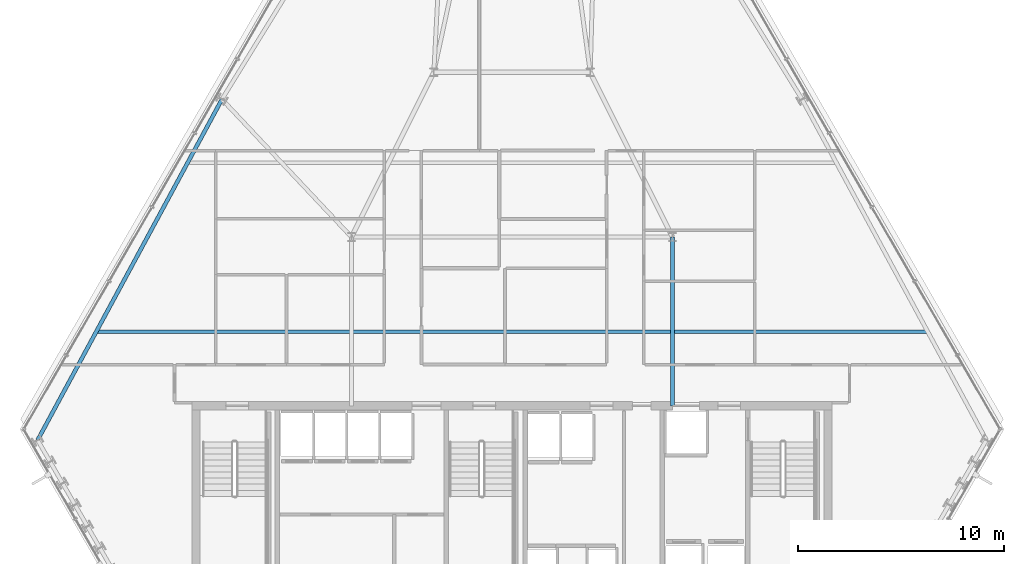
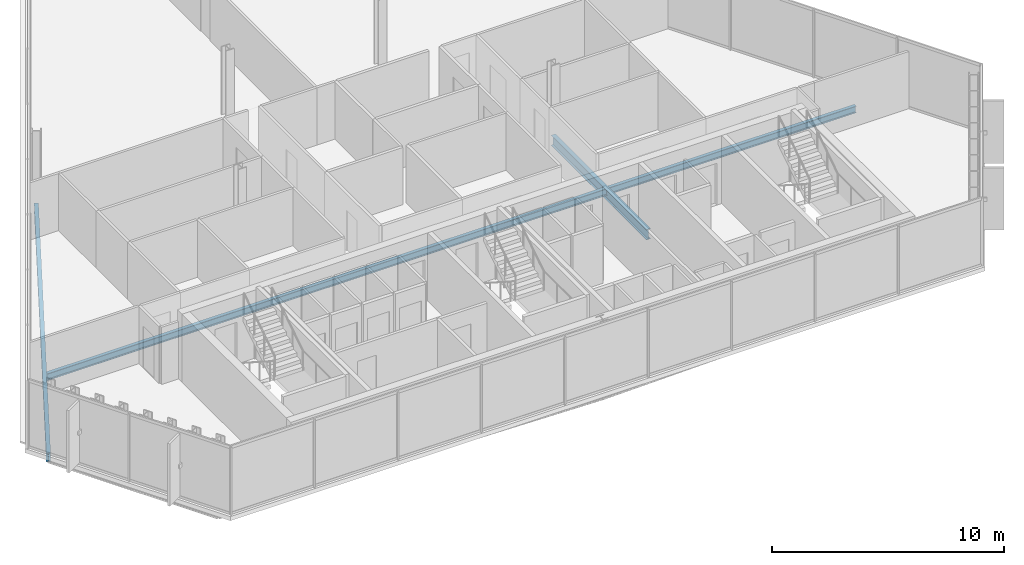
# One storey, part 10 of 35: 3 beams.
"""IFC4 building model written with IfcOpenShell, lengths in metres."""

from ifc_helpers import new_model, si_unit, direction, frame, origin, origin_2d, place, context, subcontext, project, spatial, i_section, extrude, material, material_profile, profile_set, type_object, element, save


model = new_model("IFC4")

# Units and contexts
model_context = context("Model", 3, precision=1e-05, world=origin(), true_north=direction((0.0, 1.0)))
body_context = subcontext(model_context, "Body", "Model", "MODEL_VIEW")
ifc_project = project(units=[si_unit("LENGTHUNIT", "METRE"), si_unit("AREAUNIT", "SQUARE_METRE"), si_unit("VOLUMEUNIT", "CUBIC_METRE"), si_unit("PLANEANGLEUNIT", "RADIAN"), si_unit("MASSUNIT", "GRAM", prefix="KILO")], contexts=[model_context])

# Site, building, storey
site_placement = place(None, origin())
site = spatial("IfcSite", under=ifc_project, at=site_placement, CompositionType="ELEMENT")
building_placement = place(site_placement, origin())
building = spatial("IfcBuilding", under=site, at=building_placement, Name="Ndaravel Arena Tower", CompositionType="ELEMENT")
storey_placement = place(building_placement, frame((0.0, 0.0, 172.60009765625)))
storey = spatial("IfcBuildingStorey", under=building, at=storey_placement, Name="L41", CompositionType="ELEMENT", Elevation=172.60009765625)

# Beams
ifc_material_1 = material(Name="Steel S355", Category="steel")
ifc_material_profile_1 = material_profile(ifc_material_1, i_section(OverallWidth=0.210693359375, OverallDepth=0.53955078125, WebThickness=0.01171875, FlangeThickness=0.018798828125, FilletRadius=0.0126953125, at=origin_2d()), Name="UB 533x210x109")
ifc_profile_set_1 = profile_set([ifc_material_profile_1], Name="Steel S355")
beam_type_1 = type_object("IfcBeamType", Name="BM-GIRD-UB533", PredefinedType="BEAM", material=ifc_profile_set_1)
beam_1_placement = place(storey_placement, frame((49.800048828125, 14.97998046875, -0.48974609375), z_axis=(0.0, 1.0, 0.0), x_axis=(-1.0, 0.0, 0.0)))
element("IfcBeam", 1, at=beam_1_placement, inside=storey, type_object=beam_type_1, Name="L41 Spine Link Girder SLG-02", PredefinedType="BEAM", context=body_context, shape_type="SweptSolid", body=[
    extrude(i_section(OverallWidth=0.210693359375, OverallDepth=0.53955078125, WebThickness=0.01171875, FlangeThickness=0.018798828125, FilletRadius=0.0126953125, at=origin_2d()), origin(), (0.0, 0.0, 1.0), 8.219970703125),
])
ifc_material_2 = material(Name="Steel S355", Category="steel")
ifc_material_profile_2 = material_profile(ifc_material_2, i_section(OverallWidth=0.172119140625, OverallDepth=0.35791015625, WebThickness=0.008056640625, FlangeThickness=0.012939453125, FilletRadius=0.01025390625, at=origin_2d()), Name="UB 356x171x57")
ifc_profile_set_2 = profile_set([ifc_material_profile_2], Name="Steel S355")
beam_type_2 = type_object("IfcBeamType", Name="BM-JOIST-UB356", PredefinedType="JOIST", material=ifc_profile_set_2)
beam_2_placement = place(storey_placement, frame((21.800048828125, 18.60009765625, -0.399169921875), z_axis=(1.0, 0.0, 0.0), x_axis=(0.0, 1.0, 0.0)))
element("IfcBeam", 2, at=beam_2_placement, inside=storey, type_object=beam_type_2, Name="L41 Composite Floor Joist FJ-01", PredefinedType="JOIST", context=body_context, shape_type="SweptSolid", body=[
    extrude(i_section(OverallWidth=0.172119140625, OverallDepth=0.35791015625, WebThickness=0.008056640625, FlangeThickness=0.012939453125, FilletRadius=0.01025390625, at=origin_2d()), origin(), (0.0, 0.0, 1.0), 40.39990234375),
])
ifc_material_3 = material(Name="Steel S355", Category="steel")
ifc_material_profile_3 = material_profile(ifc_material_3, i_section(OverallWidth=0.18994140625, OverallDepth=0.449951171875, WebThickness=0.009521484375, FlangeThickness=0.0146484375, FilletRadius=0.02099609375, at=origin_2d()), Name="IPE 450")
ifc_profile_set_3 = profile_set([ifc_material_profile_3], Name="Steel S355")
beam_type_3 = type_object("IfcBeamType", Name="BM-SPAN-IPE450", PredefinedType="SPANDREL", material=ifc_profile_set_3)
beam_3_placement = place(storey_placement, frame((27.906494140625, 29.890380859375, -0.445068359375), z_axis=(-0.475732906859, -0.879589791512, 0.0), x_axis=(0.879589791512, -0.475732906859, 0.0)))
element("IfcBeam", 3, at=beam_3_placement, inside=storey, type_object=beam_type_3, Name="L41 Perimeter Spandrel Beam SP-19", PredefinedType="SPANDREL", context=body_context, shape_type="SweptSolid", body=[
    extrude(i_section(OverallWidth=0.18994140625, OverallDepth=0.449951171875, WebThickness=0.009521484375, FlangeThickness=0.0146484375, FilletRadius=0.02099609375, at=origin_2d()), origin(), (0.0, 0.0, 1.0), 18.827880859375),
])

save(model, "model.ifc")
